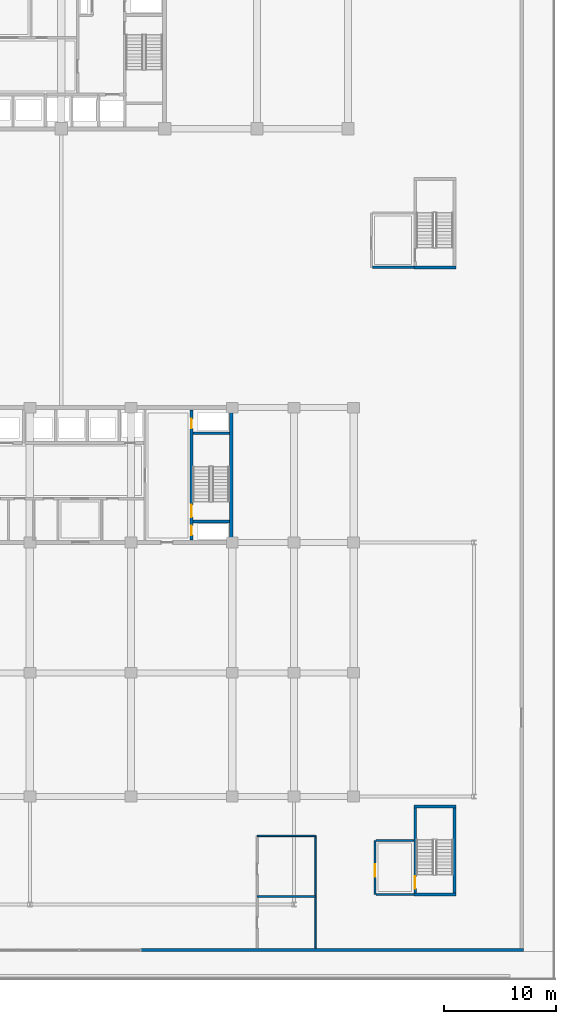
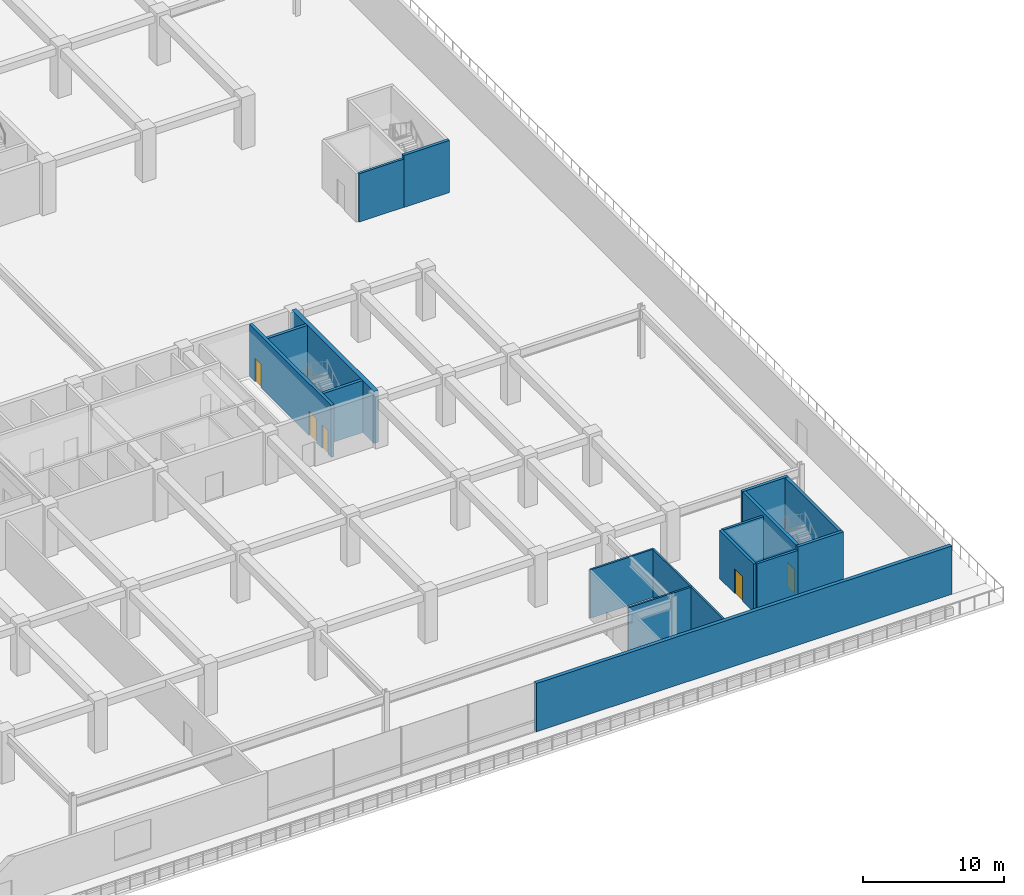
# One storey, part 23 of 40: 17 walls, 5 doors, 5 openings.
"""IFC4 building model written with IfcOpenShell, lengths in metres."""

import ifcopenshell
import ifcopenshell.guid

model = None  # the IFC model being written
_history = None  # IfcOwnerHistory: only IFC2X3 demands one
_inside = {}  # id of a spatial element -> (the spatial element, [elements in it])
_under = {}  # id of a project, library or spatial element -> (it, [spatial elements below it])
_declared = {}  # id of a project -> (the project, [libraries it declares])
_typed = {}  # id of a type object -> (the type object, [elements of that type])
_made_of = {}  # id of a material, layer set ... -> (it, [elements and type objects made of it])


def new_model(schema):
    """Start an empty IFC model of exactly this schema.

    Asked for "IFC4X3", IfcOpenShell would pick the latest addendum, in which some entities
    have other attributes; the version numbers below select the first issue.
    IFC2X3 requires an IfcOwnerHistory on every rooted entity: one is made here for all.
    """
    global model, _history
    if schema == "IFC4X3":
        model = ifcopenshell.file(schema_version=(4, 3, 0, 0))
    else:
        model = ifcopenshell.file(schema=schema)
    _inside.clear()
    _under.clear()
    _declared.clear()
    _typed.clear()
    _made_of.clear()
    _history = None
    if model.schema == "IFC2X3":
        org = make("IfcOrganization", Name="unknown")
        user = make(
            "IfcPersonAndOrganization",
            ThePerson=make("IfcPerson", FamilyName="unknown"),
            TheOrganization=org,
        )
        app = make(
            "IfcApplication",
            ApplicationDeveloper=org,
            Version="unknown",
            ApplicationFullName="unknown",
            ApplicationIdentifier="unknown",
        )
        _history = make(
            "IfcOwnerHistory",
            OwningUser=user,
            OwningApplication=app,
            ChangeAction="ADDED",
            CreationDate=0,
        )
    return model


def make(cls, **values):
    """One entity of the class cls with the attributes given. An attribute that is None is left unset."""
    return model.create_entity(
        cls, **{name: value for name, value in values.items() if value is not None}
    )


def rooted(cls, **values):
    """An entity with a GlobalId (a new one), such as an element, a storey or a relation."""
    return make(cls, GlobalId=ifcopenshell.guid.new(), OwnerHistory=_history, **values)


def si_unit(unit_type, name, prefix=None):
    """IfcSIUnit, for example si_unit("LENGTHUNIT", "METRE", prefix="MILLI")."""
    return make("IfcSIUnit", UnitType=unit_type, Prefix=prefix, Name=name)


def assignment(units):
    """IfcUnitAssignment: the units of a project."""
    return None if units is None else make("IfcUnitAssignment", Units=units)


def point(xyz):
    """IfcCartesianPoint."""
    return None if xyz is None else make("IfcCartesianPoint", Coordinates=xyz)


def direction(xyz):
    """IfcDirection."""
    return None if xyz is None else make("IfcDirection", DirectionRatios=xyz)


def frame(location, z_axis=None, x_axis=None):
    """IfcAxis2Placement3D, a coordinate frame: its origin and axes. An axis left out is left unset."""
    return make(
        "IfcAxis2Placement3D",
        Location=point(location),
        Axis=direction(z_axis),
        RefDirection=direction(x_axis),
    )


def frame_2d(location, x_axis=None):
    """IfcAxis2Placement2D, a coordinate frame in the plane: its origin and x axis."""
    return make(
        "IfcAxis2Placement2D", Location=point(location), RefDirection=direction(x_axis)
    )


def origin():
    """The frame at (0, 0, 0) with its axes left unset."""
    return frame((0.0, 0.0, 0.0))


def place(relative_to, where):
    """IfcLocalPlacement: puts the frame where relative to a parent placement (None: the world)."""
    return make(
        "IfcLocalPlacement", PlacementRelTo=relative_to, RelativePlacement=where
    )


def context(
    kind, dimensions, precision=None, world=None, true_north=None, identifier=None
):
    """IfcGeometricRepresentationContext, for example the 3D "Model" context."""
    return make(
        "IfcGeometricRepresentationContext",
        ContextIdentifier=identifier,
        ContextType=kind,
        CoordinateSpaceDimension=dimensions,
        Precision=precision,
        WorldCoordinateSystem=world,
        TrueNorth=true_north,
    )


def subcontext(parent, identifier, kind, view, scale=None):
    """IfcGeometricRepresentationSubContext, for example "Body" below "Model"."""
    return make(
        "IfcGeometricRepresentationSubContext",
        ContextIdentifier=identifier,
        ContextType=kind,
        ParentContext=parent,
        TargetScale=scale,
        TargetView=view,
    )


def project(units=None, contexts=None):
    """IfcProject with its units and contexts."""
    return rooted(
        "IfcProject",
        Name="project",
        RepresentationContexts=contexts,
        UnitsInContext=assignment(units),
    )


def spatial(cls, under=None, at=None, **own):
    """A site, building, storey or space (cls), placed at a placement, below another one or the project."""
    s = rooted(cls, ObjectPlacement=at, **own)
    if under is not None:
        _under.setdefault(under.id(), (under, []))[1].append(s)
    return s


def profile(cls, at=None, kind="AREA", **sizes):
    """A parametric profile (cls). Its sizes go by their IFC names, for example OverallWidth=200.0."""
    return make(cls, ProfileType=kind, Position=at, **sizes)


def rectangle(**sizes):
    """IfcRectangleProfileDef."""
    return profile("IfcRectangleProfileDef", **sizes)


def extrude(swept, where, along, depth):
    """IfcExtrudedAreaSolid: the profile swept, set in the frame where, extruded along a direction by depth."""
    return make(
        "IfcExtrudedAreaSolid",
        SweptArea=swept,
        Position=where,
        ExtrudedDirection=direction(along),
        Depth=depth,
    )


def shape(context_of_items, identifier, shape_type, items):
    """IfcShapeRepresentation: the items that make up one representation, for example the "Body"."""
    return make(
        "IfcShapeRepresentation",
        ContextOfItems=context_of_items,
        RepresentationIdentifier=identifier,
        RepresentationType=shape_type,
        Items=items,
    )


def material(Name=None, Category=None):
    """IfcMaterial."""
    return make("IfcMaterial", Name=Name, Category=Category)


def layer(
    of_material, thickness, ventilated=None, Name=None, Category=None, Priority=None
):
    """IfcMaterialLayer: one layer of a wall or slab, of a material (None: an air gap)."""
    return make(
        "IfcMaterialLayer",
        Material=of_material,
        LayerThickness=thickness,
        IsVentilated=ventilated,
        Name=Name,
        Category=Category,
        Priority=Priority,
    )


def layer_set(layers, Name=None):
    """IfcMaterialLayerSet."""
    return make("IfcMaterialLayerSet", MaterialLayers=layers, LayerSetName=Name)


def made_of(thing, what):
    """Note that an element or type object is made of a material, layer set ...; save() writes the relation."""
    if what is not None:
        _made_of.setdefault(what.id(), (what, []))[1].append(thing)
    return thing


def type_object(cls, material=None, **own):
    """A type object (cls), such as IfcWallType, which elements share."""
    return made_of(rooted(cls, **own), material)


def element(
    cls,
    number,
    at=None,
    inside=None,
    cuts=None,
    type_object=None,
    material=None,
    context=None,
    identifier="Body",
    shape_type=None,
    held_by="IfcProductDefinitionShape",
    body=None,
    shapes=None,
    **own,
):
    """One element of the class cls, such as IfcWall. Its Tag is "e" and its number.

    at: its placement. inside: the storey or other place that contains it. cuts: it is an
    opening in that element (IfcRelVoidsElement). A single representation is given by context,
    identifier, shape_type and body (its items); several are given by shapes. held_by: the class
    of the entity that holds the representations. save() writes the other relations.
    """
    e = rooted(cls, Tag="e%d" % number, ObjectPlacement=at, **own)
    if body is not None:
        shapes = [shape(context, identifier, shape_type, body)]
    if shapes is not None:
        e.Representation = make(held_by, Representations=shapes)
    if inside is not None:
        _inside.setdefault(inside.id(), (inside, []))[1].append(e)
    if cuts is not None:
        rooted(
            "IfcRelVoidsElement", RelatingBuildingElement=cuts, RelatedOpeningElement=e
        )
    if type_object is not None:
        _typed.setdefault(type_object.id(), (type_object, []))[1].append(e)
    return made_of(e, material)


def fill(opening, filler):
    """IfcRelFillsElement: the door or window that sits in an opening."""
    return rooted(
        "IfcRelFillsElement",
        RelatingOpeningElement=opening,
        RelatedBuildingElement=filler,
    )


def aggregate(whole, parts):
    """IfcRelAggregates: a whole, such as a stair, and the parts it consists of."""
    return rooted("IfcRelAggregates", RelatingObject=whole, RelatedObjects=parts)


def save(model, path):
    """Write the relations noted so far, then the file.

    IfcRelAggregates (storeys below a building ...), IfcRelContainedInSpatialStructure (elements
    in a storey), IfcRelDefinesByType, IfcRelAssociatesMaterial and IfcRelDeclares: one each for
    every whole, place, type object, material and project.
    """
    for whole, parts in _under.values():
        aggregate(whole, parts)
    for where, things in _inside.values():
        rooted(
            "IfcRelContainedInSpatialStructure",
            RelatedElements=things,
            RelatingStructure=where,
        )
    for kind, things in _typed.values():
        rooted("IfcRelDefinesByType", RelatedObjects=things, RelatingType=kind)
    for what, things in _made_of.values():
        rooted("IfcRelAssociatesMaterial", RelatedObjects=things, RelatingMaterial=what)
    for by, libraries in _declared.values():
        rooted("IfcRelDeclares", RelatingContext=by, RelatedDefinitions=libraries)
    model.write(path)


model = new_model("IFC4")

# Units and contexts
model_context = context("Model", 3, precision=1e-05, world=origin(), true_north=direction((0.0, 1.0)))
body_context = subcontext(model_context, "Body", "Model", "MODEL_VIEW")
ifc_project = project(units=[si_unit("LENGTHUNIT", "METRE"), si_unit("AREAUNIT", "SQUARE_METRE"), si_unit("VOLUMEUNIT", "CUBIC_METRE"), si_unit("PLANEANGLEUNIT", "RADIAN"), si_unit("MASSUNIT", "GRAM", prefix="KILO")], contexts=[model_context])

# Site, building, storey
site_placement = place(None, origin())
site = spatial("IfcSite", under=ifc_project, at=site_placement, CompositionType="ELEMENT")
building_placement = place(site_placement, origin())
building = spatial("IfcBuilding", under=site, at=building_placement, Name="Korimba Cascade Residences", CompositionType="ELEMENT")
storey_placement = place(building_placement, frame((0.0, 0.0, 14.5)))
storey = spatial("IfcBuildingStorey", under=building, at=storey_placement, Name="L03", CompositionType="ELEMENT", Elevation=14.5)

# Walls
ifc_material_1 = material(Name="Precast concrete C40/50", Category="concrete")
ifc_layer_1 = layer(ifc_material_1, 0.300048828125)
ifc_layer_set_1 = layer_set([ifc_layer_1], Name="Precast concrete C40/50")
wall_type_1 = type_object("IfcWallType", Name="EW-STONE-300", PredefinedType="STANDARD", material=ifc_layer_set_1)
wall_1_placement = place(storey_placement, frame((110.0, -17.85009765625, 0.0), z_axis=(0.0, 0.0, 1.0), x_axis=(1.0, 0.0, 0.0)))
element("IfcWall", 1, at=wall_1_placement, inside=storey, type_object=wall_type_1, Name="L03 South-East Podium Wall", PredefinedType="STANDARD", context=body_context, shape_type="SweptSolid", body=[
    extrude(rectangle(XDim=34.0, YDim=0.300048828125, at=frame_2d((17.0, 0.0))), origin(), (0.0, 0.0, 1.0), 4.179931640625),
])
ifc_material_2 = material(Name="Concrete C65/80", Category="concrete")
ifc_layer_2 = layer(ifc_material_2, 0.35009765625)
ifc_layer_set_2 = layer_set([ifc_layer_2], Name="Concrete C65/80")
wall_type_2 = type_object("IfcWallType", Name="WAL-CORE-350", PredefinedType="SHEAR", material=ifc_layer_set_2)
wall_2_placement = place(storey_placement, frame((118.014892578125, 18.574951171875, 0.0), z_axis=(0.0, 0.0, 1.0), x_axis=(0.0, 1.0, 0.0)))
element("IfcWall", 2, at=wall_2_placement, inside=storey, type_object=wall_type_2, Name="L03 Core Shear Wall CW-L03-T2-E", PredefinedType="SHEAR", context=body_context, shape_type="SweptSolid", body=[
    extrude(rectangle(XDim=11.650146484375, YDim=0.35009765625, at=frame_2d((5.8251953125, 0.0))), origin(), (0.0, 0.0, 1.0), 4.5),
])
ifc_material_3 = material(Name="Insulated Acoustic Stud Partition", Category="gypsum")
ifc_layer_3 = layer(ifc_material_3, 0.14990234375)
ifc_layer_set_3 = layer_set([ifc_layer_3], Name="Insulated Acoustic Stud Partition")
wall_type_3 = type_object("IfcWallType", Name="WAL-PART-150", PredefinedType="PARTITIONING", material=ifc_layer_set_3)
for number, where, z_axis, x_axis, name in (
    (3, (120.320068359375, -13.10009765625, 0.0), (0.0, 0.0, 1.0), (1.0, 0.0, 0.0), "L03 Partition Wall WAL-L03-WCH1"),
    (4, (120.320068359375, -7.699951171875, 0.0), (0.0, 0.0, 1.0), (1.0, 0.0, 0.0), "L03 Partition Wall WAL-L03-WCH2"),
):
    element("IfcWall", number, at=place(storey_placement, frame(where, z_axis=z_axis, x_axis=x_axis)), inside=storey, type_object=wall_type_3, Name=name, PredefinedType="PARTITIONING", context=body_context, shape_type="SweptSolid", body=[
        extrude(rectangle(XDim=5.179931640625, YDim=0.14990234375, at=frame_2d((2.58984375, 0.0))), origin(), (0.0, 0.0, 1.0), 4.179931640625),
    ])
wall_3_placement = place(storey_placement, frame((125.5, -17.699951171875, 0.0), z_axis=(0.0, 0.0, 1.0), x_axis=(0.0, 1.0, 0.0)))
element("IfcWall", 5, at=wall_3_placement, inside=storey, type_object=wall_type_3, Name="L03 Partition Wall WAL-L03-WCE", PredefinedType="PARTITIONING", context=body_context, shape_type="SweptSolid", body=[
    extrude(rectangle(XDim=10.0, YDim=0.14990234375, at=frame_2d((5.0, 0.0))), origin(), (0.0, 0.0, 1.0), 4.179931640625),
])
ifc_material_4 = material(Name="Concrete C40/50", Category="concrete")
ifc_layer_4 = layer(ifc_material_4, 0.199951171875)
ifc_layer_set_4 = layer_set([ifc_layer_4], Name="Concrete C40/50")
wall_type_4 = type_object("IfcWallType", Name="WAL-PART-200", PredefinedType="PARTITIONING", material=ifc_layer_set_4)
wall_4_placement = place(storey_placement, frame((130.60009765625, 42.875, 0.0), z_axis=(0.0, 0.0, 1.0), x_axis=(1.0, 0.0, 0.0)))
element("IfcWall", 6, at=wall_4_placement, inside=storey, type_object=wall_type_4, Name="L03 Partition Wall CW-L03-PLES", PredefinedType="PARTITIONING", context=body_context, shape_type="SweptSolid", body=[
    extrude(rectangle(XDim=3.64990234375, YDim=0.199951171875, at=frame_2d((1.824951171875, 0.0))), origin(), (0.0, 0.0, 1.0), 4.179931640625),
])

# Wall, opening, door
wall_5_placement = place(storey_placement, frame((130.800048828125, -12.925048828125, 0.0), z_axis=(0.0, 0.0, 1.0), x_axis=(0.0, 1.0, 0.0)))
wall_5 = element("IfcWall", 7, at=wall_5_placement, inside=storey, type_object=wall_type_4, Name="L03 Partition Wall CW-L03-PL6W", PredefinedType="PARTITIONING", context=body_context, shape_type="SweptSolid", body=[
    extrude(rectangle(XDim=4.824951171875, YDim=0.199951171875, at=frame_2d((2.41259765625, 0.0))), origin(), (0.0, 0.0, 1.0), 4.179931640625),
])
opening_1_placement = place(wall_5_placement, frame((1.60009765625, 0.0, 0.0)))
opening_1 = element("IfcOpeningElement", 8, at=opening_1_placement, cuts=wall_5, Name="Opening D-FD6", PredefinedType="OPENING", context=body_context, shape_type="SweptSolid", body=[
    extrude(rectangle(XDim=1.10009765625, YDim=2.14990234375, at=frame_2d((0.550048828125, 1.074951171875))), frame((0.0, 0.10986328125, 0.0), z_axis=(0.0, -1.0, 0.0), x_axis=(1.0, 0.0, 0.0)), (0.0, 0.0, 1.0), 0.219970703125),
])
ifc_material_5 = material(Name="Fire-Rated Timber Stair Lobby Door", Category="wood")
door_type_1 = type_object("IfcDoorType", Name="DR-FD90-1100", OperationType="NOTDEFINED", PredefinedType="DOOR", material=ifc_material_5)
door_1_placement = place(opening_1_placement, origin())
door_1 = element("IfcDoor", 9, at=door_1_placement, inside=storey, type_object=door_type_1, Name="L03 South-East Stair Vestibule Door", OperationType="SINGLE_SWING_RIGHT", OverallHeight=2.14990234375, OverallWidth=1.10009765625, PredefinedType="DOOR", context=body_context, shape_type="SweptSolid", body=[
    extrude(rectangle(XDim=1.10009765625, YDim=2.14990234375, at=frame_2d((0.550048828125, 1.074951171875))), frame((0.0, 0.02490234375, 0.0), z_axis=(0.0, -1.0, 0.0), x_axis=(1.0, 0.0, 0.0)), (0.0, 0.0, 1.0), 0.050048828125),
])
fill(opening_1, door_1)

# Walls
for number, where, z_axis, x_axis, name in (
    (10, (130.89990234375, -12.925048828125, 0.0), (0.0, 0.0, 1.0), (1.0, 0.0, 0.0), "L03 Partition Wall CW-L03-PL6S"),
    (11, (130.89990234375, -8.10009765625, 0.0), (0.0, 0.0, 1.0), (1.0, 0.0, 0.0), "L03 Partition Wall CW-L03-PL6N"),
):
    element("IfcWall", number, at=place(storey_placement, frame(where, z_axis=z_axis, x_axis=x_axis)), inside=storey, type_object=wall_type_4, Name=name, PredefinedType="PARTITIONING", context=body_context, shape_type="SweptSolid", body=[
        extrude(rectangle(XDim=3.35009765625, YDim=0.199951171875, at=frame_2d((1.675048828125, 0.0))), origin(), (0.0, 0.0, 1.0), 4.179931640625),
    ])

# Wall, openings, doors
ifc_material_6 = material(Name="Concrete C50/60", Category="concrete")
ifc_layer_5 = layer(ifc_material_6, 0.25)
ifc_layer_set_5 = layer_set([ifc_layer_5], Name="Concrete C50/60")
wall_type_5 = type_object("IfcWallType", Name="WAL-SHAFT-250", PredefinedType="SHEAR", material=ifc_layer_set_5)
wall_6_placement = place(storey_placement, frame((114.47509765625, 18.60009765625, 0.0), z_axis=(0.0, 0.0, 1.0), x_axis=(0.0, 1.0, 0.0)))
wall_6 = element("IfcWall", 12, at=wall_6_placement, inside=storey, type_object=wall_type_5, Name="L03 Core Shear Wall CW-L03-T2-STE2W", PredefinedType="SHEAR", context=body_context, shape_type="SweptSolid", body=[
    extrude(rectangle(XDim=11.599853515625, YDim=0.25, at=frame_2d((5.7998046875, 0.0))), origin(), (0.0, 0.0, 1.0), 4.5),
])
opening_2_placement = place(wall_6_placement, frame((0.449951171875, 0.0, 0.0)))
opening_2 = element("IfcOpeningElement", 13, at=opening_2_placement, cuts=wall_6, Name="Opening D-RS1", PredefinedType="OPENING", context=body_context, shape_type="SweptSolid", body=[
    extrude(rectangle(XDim=0.85009765625, YDim=2.050048828125, at=frame_2d((0.425048828125, 1.02490234375))), frame((0.0, 0.135009765625, 0.0), z_axis=(0.0, -1.0, 0.0), x_axis=(1.0, 0.0, 0.0)), (0.0, 0.0, 1.0), 0.27001953125),
])
opening_3_placement = place(wall_6_placement, frame((2.050048828125, 0.0, 0.0)))
opening_3 = element("IfcOpeningElement", 14, at=opening_3_placement, cuts=wall_6, Name="Opening D-FD1", PredefinedType="OPENING", context=body_context, shape_type="SweptSolid", body=[
    extrude(rectangle(XDim=1.10009765625, YDim=2.10009765625, at=frame_2d((0.550048828125, 1.050048828125))), frame((0.0, 0.135009765625, 0.0), z_axis=(0.0, -1.0, 0.0), x_axis=(1.0, 0.0, 0.0)), (0.0, 0.0, 1.0), 0.27001953125),
])
opening_4_placement = place(wall_6_placement, frame((9.949951171875, 0.0, 0.0)))
opening_4 = element("IfcOpeningElement", 15, at=opening_4_placement, cuts=wall_6, Name="Opening D-RS1", PredefinedType="OPENING", context=body_context, shape_type="SweptSolid", body=[
    extrude(rectangle(XDim=0.85009765625, YDim=2.050048828125, at=frame_2d((0.425048828125, 1.02490234375))), frame((0.0, 0.135009765625, 0.0), z_axis=(0.0, -1.0, 0.0), x_axis=(1.0, 0.0, 0.0)), (0.0, 0.0, 1.0), 0.27001953125),
])
ifc_material_7 = material(Name="Fire-Rated Steel Core Door", Category="steel")
door_type_2 = type_object("IfcDoorType", Name="DR-FD120-1100", OperationType="NOTDEFINED", PredefinedType="DOOR", material=ifc_material_7)
door_2_placement = place(opening_3_placement, origin())
door_2 = element("IfcDoor", 16, at=door_2_placement, inside=storey, type_object=door_type_2, Name="L03 Fire Stair ST-E2 Door", OperationType="SINGLE_SWING_LEFT", OverallHeight=2.10009765625, OverallWidth=1.10009765625, PredefinedType="DOOR", context=body_context, shape_type="SweptSolid", body=[
    extrude(rectangle(XDim=1.10009765625, YDim=2.10009765625, at=frame_2d((0.550048828125, 1.050048828125))), frame((0.0, 0.02490234375, 0.0), z_axis=(0.0, -1.0, 0.0), x_axis=(1.0, 0.0, 0.0)), (0.0, 0.0, 1.0), 0.050048828125),
])
fill(opening_3, door_2)
ifc_material_8 = material(Name="Fire-Rated Steel Riser Access Door", Category="steel")
door_type_3 = type_object("IfcDoorType", Name="DR-FD60-850", OperationType="NOTDEFINED", PredefinedType="DOOR", material=ifc_material_8)
door_3_placement = place(opening_2_placement, origin())
door_3 = element("IfcDoor", 17, at=door_3_placement, inside=storey, type_object=door_type_3, Name="L03 T2 East Hydrant Door", OperationType="SINGLE_SWING_RIGHT", OverallHeight=2.050048828125, OverallWidth=0.85009765625, PredefinedType="DOOR", context=body_context, shape_type="SweptSolid", body=[
    extrude(rectangle(XDim=0.85009765625, YDim=2.050048828125, at=frame_2d((0.425048828125, 1.02490234375))), frame((0.0, 0.02490234375, 0.0), z_axis=(0.0, -1.0, 0.0), x_axis=(1.0, 0.0, 0.0)), (0.0, 0.0, 1.0), 0.050048828125),
])
fill(opening_2, door_3)
door_4_placement = place(opening_4_placement, origin())
door_4 = element("IfcDoor", 18, at=door_4_placement, inside=storey, type_object=door_type_3, Name="L03 T2 East Riser Door", OperationType="SINGLE_SWING_RIGHT", OverallHeight=2.050048828125, OverallWidth=0.85009765625, PredefinedType="DOOR", context=body_context, shape_type="SweptSolid", body=[
    extrude(rectangle(XDim=0.85009765625, YDim=2.050048828125, at=frame_2d((0.425048828125, 1.02490234375))), frame((0.0, 0.02490234375, 0.0), z_axis=(0.0, -1.0, 0.0), x_axis=(1.0, 0.0, 0.0)), (0.0, 0.0, 1.0), 0.050048828125),
])
fill(opening_4, door_4)

# Walls
for number, where, z_axis, x_axis, name in (
    (19, (114.60009765625, 20.27490234375, 0.0), (0.0, 0.0, 1.0), (1.0, 0.0, 0.0), "L03 Core Shear Wall CW-L03-T2-STE2S"),
    (20, (114.60009765625, 28.125, 0.0), (0.0, 0.0, 1.0), (1.0, 0.0, 0.0), "L03 Core Shear Wall CW-L03-T2-STE2N"),
):
    element("IfcWall", number, at=place(storey_placement, frame(where, z_axis=z_axis, x_axis=x_axis)), inside=storey, type_object=wall_type_5, Name=name, PredefinedType="SHEAR", context=body_context, shape_type="SweptSolid", body=[
        extrude(rectangle(XDim=3.239990234375, YDim=0.25, at=frame_2d((1.6201171875, 0.0))), origin(), (0.0, 0.0, 1.0), 4.5),
    ])
wall_7_placement = place(storey_placement, frame((134.25, 42.875, 0.0), z_axis=(0.0, 0.0, 1.0), x_axis=(1.0, 0.0, 0.0)))
element("IfcWall", 21, at=wall_7_placement, inside=storey, type_object=wall_type_5, Name="L03 Core Shear Wall CW-L03-STP2S", PredefinedType="SHEAR", context=body_context, shape_type="SweptSolid", body=[
    extrude(rectangle(XDim=3.739990234375, YDim=0.25, at=frame_2d((1.8701171875, 0.0))), origin(), (0.0, 0.0, 1.0), 4.5),
])

# Wall, opening, door
wall_8_placement = place(storey_placement, frame((134.375, -12.800048828125, 0.0), z_axis=(0.0, 0.0, 1.0), x_axis=(0.0, 1.0, 0.0)))
wall_8 = element("IfcWall", 22, at=wall_8_placement, inside=storey, type_object=wall_type_5, Name="L03 Core Shear Wall CW-L03-STP6W", PredefinedType="SHEAR", context=body_context, shape_type="SweptSolid", body=[
    extrude(rectangle(XDim=7.60009765625, YDim=0.25, at=frame_2d((3.800048828125, 0.0))), origin(), (0.0, 0.0, 1.0), 4.5),
])
opening_5_placement = place(wall_8_placement, frame((0.39990234375, 0.0, 0.0)))
opening_5 = element("IfcOpeningElement", 23, at=opening_5_placement, cuts=wall_8, Name="Opening D-FD1", PredefinedType="OPENING", context=body_context, shape_type="SweptSolid", body=[
    extrude(rectangle(XDim=1.10009765625, YDim=2.10009765625, at=frame_2d((0.550048828125, 1.050048828125))), frame((0.0, 0.135009765625, 0.0), z_axis=(0.0, -1.0, 0.0), x_axis=(1.0, 0.0, 0.0)), (0.0, 0.0, 1.0), 0.27001953125),
])
door_5_placement = place(opening_5_placement, origin())
door_5 = element("IfcDoor", 24, at=door_5_placement, inside=storey, type_object=door_type_2, Name="L03 Podium Stair ST-P6 Door", OperationType="SINGLE_SWING_LEFT", OverallHeight=2.10009765625, OverallWidth=1.10009765625, PredefinedType="DOOR", context=body_context, shape_type="SweptSolid", body=[
    extrude(rectangle(XDim=1.10009765625, YDim=2.10009765625, at=frame_2d((0.550048828125, 1.050048828125))), frame((0.0, 0.02490234375, 0.0), z_axis=(0.0, -1.0, 0.0), x_axis=(1.0, 0.0, 0.0)), (0.0, 0.0, 1.0), 0.050048828125),
])
fill(opening_5, door_5)

# Walls
wall_9_placement = place(storey_placement, frame((137.864990234375, -12.800048828125, 0.0), z_axis=(0.0, 0.0, 1.0), x_axis=(0.0, 1.0, 0.0)))
element("IfcWall", 25, at=wall_9_placement, inside=storey, type_object=wall_type_5, Name="L03 Core Shear Wall CW-L03-STP6E", PredefinedType="SHEAR", context=body_context, shape_type="SweptSolid", body=[
    extrude(rectangle(XDim=7.60009765625, YDim=0.25, at=frame_2d((3.800048828125, 0.0))), origin(), (0.0, 0.0, 1.0), 4.5),
])
for number, where, z_axis, x_axis, name in (
    (26, (134.25, -12.925048828125, 0.0), (0.0, 0.0, 1.0), (1.0, 0.0, 0.0), "L03 Core Shear Wall CW-L03-STP6S"),
    (27, (134.25, -5.074951171875, 0.0), (0.0, 0.0, 1.0), (1.0, 0.0, 0.0), "L03 Core Shear Wall CW-L03-STP6N"),
):
    element("IfcWall", number, at=place(storey_placement, frame(where, z_axis=z_axis, x_axis=x_axis)), inside=storey, type_object=wall_type_5, Name=name, PredefinedType="SHEAR", context=body_context, shape_type="SweptSolid", body=[
        extrude(rectangle(XDim=3.739990234375, YDim=0.25, at=frame_2d((1.8701171875, 0.0))), origin(), (0.0, 0.0, 1.0), 4.5),
    ])

save(model, "model.ifc")
